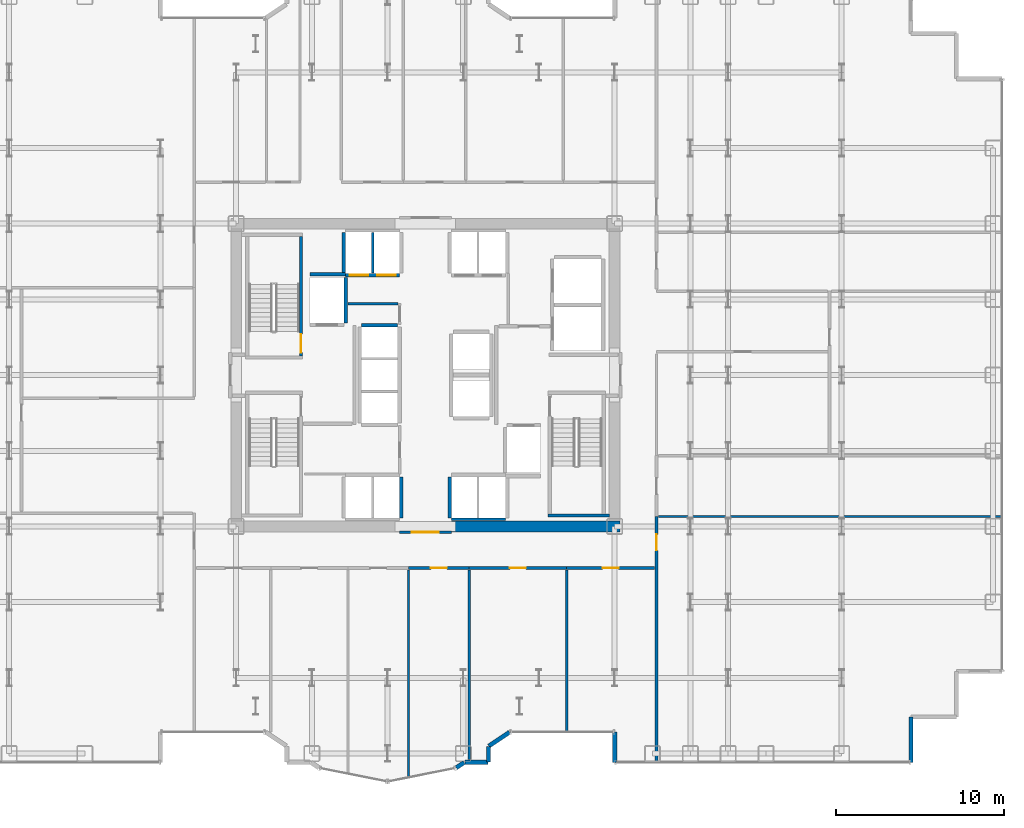
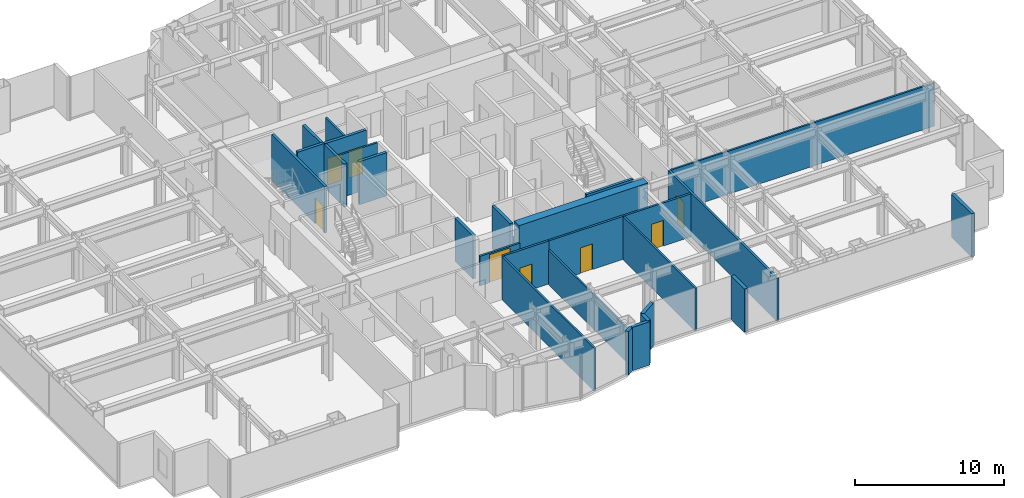
# One storey, part 21 of 26: 28 walls, 8 doors, 8 openings.
"""IFC4 building model written with IfcOpenShell, lengths in metres."""

import ifcopenshell
import ifcopenshell.guid

model = None  # the IFC model being written
_history = None  # IfcOwnerHistory: only IFC2X3 demands one
_inside = {}  # id of a spatial element -> (the spatial element, [elements in it])
_under = {}  # id of a project, library or spatial element -> (it, [spatial elements below it])
_declared = {}  # id of a project -> (the project, [libraries it declares])
_typed = {}  # id of a type object -> (the type object, [elements of that type])
_made_of = {}  # id of a material, layer set ... -> (it, [elements and type objects made of it])


def new_model(schema):
    """Start an empty IFC model of exactly this schema.

    Asked for "IFC4X3", IfcOpenShell would pick the latest addendum, in which some entities
    have other attributes; the version numbers below select the first issue.
    IFC2X3 requires an IfcOwnerHistory on every rooted entity: one is made here for all.
    """
    global model, _history
    if schema == "IFC4X3":
        model = ifcopenshell.file(schema_version=(4, 3, 0, 0))
    else:
        model = ifcopenshell.file(schema=schema)
    _inside.clear()
    _under.clear()
    _declared.clear()
    _typed.clear()
    _made_of.clear()
    _history = None
    if model.schema == "IFC2X3":
        org = make("IfcOrganization", Name="unknown")
        user = make(
            "IfcPersonAndOrganization",
            ThePerson=make("IfcPerson", FamilyName="unknown"),
            TheOrganization=org,
        )
        app = make(
            "IfcApplication",
            ApplicationDeveloper=org,
            Version="unknown",
            ApplicationFullName="unknown",
            ApplicationIdentifier="unknown",
        )
        _history = make(
            "IfcOwnerHistory",
            OwningUser=user,
            OwningApplication=app,
            ChangeAction="ADDED",
            CreationDate=0,
        )
    return model


def make(cls, **values):
    """One entity of the class cls with the attributes given. An attribute that is None is left unset."""
    return model.create_entity(
        cls, **{name: value for name, value in values.items() if value is not None}
    )


def rooted(cls, **values):
    """An entity with a GlobalId (a new one), such as an element, a storey or a relation."""
    return make(cls, GlobalId=ifcopenshell.guid.new(), OwnerHistory=_history, **values)


def si_unit(unit_type, name, prefix=None):
    """IfcSIUnit, for example si_unit("LENGTHUNIT", "METRE", prefix="MILLI")."""
    return make("IfcSIUnit", UnitType=unit_type, Prefix=prefix, Name=name)


def assignment(units):
    """IfcUnitAssignment: the units of a project."""
    return None if units is None else make("IfcUnitAssignment", Units=units)


def point(xyz):
    """IfcCartesianPoint."""
    return None if xyz is None else make("IfcCartesianPoint", Coordinates=xyz)


def direction(xyz):
    """IfcDirection."""
    return None if xyz is None else make("IfcDirection", DirectionRatios=xyz)


def frame(location, z_axis=None, x_axis=None):
    """IfcAxis2Placement3D, a coordinate frame: its origin and axes. An axis left out is left unset."""
    return make(
        "IfcAxis2Placement3D",
        Location=point(location),
        Axis=direction(z_axis),
        RefDirection=direction(x_axis),
    )


def frame_2d(location, x_axis=None):
    """IfcAxis2Placement2D, a coordinate frame in the plane: its origin and x axis."""
    return make(
        "IfcAxis2Placement2D", Location=point(location), RefDirection=direction(x_axis)
    )


def origin():
    """The frame at (0, 0, 0) with its axes left unset."""
    return frame((0.0, 0.0, 0.0))


def place(relative_to, where):
    """IfcLocalPlacement: puts the frame where relative to a parent placement (None: the world)."""
    return make(
        "IfcLocalPlacement", PlacementRelTo=relative_to, RelativePlacement=where
    )


def context(
    kind, dimensions, precision=None, world=None, true_north=None, identifier=None
):
    """IfcGeometricRepresentationContext, for example the 3D "Model" context."""
    return make(
        "IfcGeometricRepresentationContext",
        ContextIdentifier=identifier,
        ContextType=kind,
        CoordinateSpaceDimension=dimensions,
        Precision=precision,
        WorldCoordinateSystem=world,
        TrueNorth=true_north,
    )


def subcontext(parent, identifier, kind, view, scale=None):
    """IfcGeometricRepresentationSubContext, for example "Body" below "Model"."""
    return make(
        "IfcGeometricRepresentationSubContext",
        ContextIdentifier=identifier,
        ContextType=kind,
        ParentContext=parent,
        TargetScale=scale,
        TargetView=view,
    )


def project(units=None, contexts=None):
    """IfcProject with its units and contexts."""
    return rooted(
        "IfcProject",
        Name="project",
        RepresentationContexts=contexts,
        UnitsInContext=assignment(units),
    )


def spatial(cls, under=None, at=None, **own):
    """A site, building, storey or space (cls), placed at a placement, below another one or the project."""
    s = rooted(cls, ObjectPlacement=at, **own)
    if under is not None:
        _under.setdefault(under.id(), (under, []))[1].append(s)
    return s


def profile(cls, at=None, kind="AREA", **sizes):
    """A parametric profile (cls). Its sizes go by their IFC names, for example OverallWidth=200.0."""
    return make(cls, ProfileType=kind, Position=at, **sizes)


def rectangle(**sizes):
    """IfcRectangleProfileDef."""
    return profile("IfcRectangleProfileDef", **sizes)


def extrude(swept, where, along, depth):
    """IfcExtrudedAreaSolid: the profile swept, set in the frame where, extruded along a direction by depth."""
    return make(
        "IfcExtrudedAreaSolid",
        SweptArea=swept,
        Position=where,
        ExtrudedDirection=direction(along),
        Depth=depth,
    )


def shape(context_of_items, identifier, shape_type, items):
    """IfcShapeRepresentation: the items that make up one representation, for example the "Body"."""
    return make(
        "IfcShapeRepresentation",
        ContextOfItems=context_of_items,
        RepresentationIdentifier=identifier,
        RepresentationType=shape_type,
        Items=items,
    )


def source(mapping_origin, context_of_items, identifier, shape_type, items):
    """IfcRepresentationMap: a shape defined once, which mapped items show again and again."""
    return make(
        "IfcRepresentationMap",
        MappingOrigin=mapping_origin,
        MappedRepresentation=shape(context_of_items, identifier, shape_type, items),
    )


def transform(
    local_origin,
    x_axis=None,
    y_axis=None,
    z_axis=None,
    scale=None,
    scale2=None,
    scale3=None,
    uniform=True,
):
    """IfcCartesianTransformationOperator3D, or its non-uniform kind. x_axis, y_axis, z_axis: its Axis1, 2, 3."""
    if uniform:
        return make(
            "IfcCartesianTransformationOperator3D",
            Axis1=direction(x_axis),
            Axis2=direction(y_axis),
            LocalOrigin=point(local_origin),
            Scale=scale,
            Axis3=direction(z_axis),
        )
    return make(
        "IfcCartesianTransformationOperator3DnonUniform",
        Axis1=direction(x_axis),
        Axis2=direction(y_axis),
        LocalOrigin=point(local_origin),
        Scale=scale,
        Axis3=direction(z_axis),
        Scale2=scale2,
        Scale3=scale3,
    )


def mapped(mapping_source, mapping_target):
    """IfcMappedItem: shows the shape of a source again, moved by a transform."""
    return make(
        "IfcMappedItem", MappingSource=mapping_source, MappingTarget=mapping_target
    )


def material(Name=None, Category=None):
    """IfcMaterial."""
    return make("IfcMaterial", Name=Name, Category=Category)


def layer(
    of_material, thickness, ventilated=None, Name=None, Category=None, Priority=None
):
    """IfcMaterialLayer: one layer of a wall or slab, of a material (None: an air gap)."""
    return make(
        "IfcMaterialLayer",
        Material=of_material,
        LayerThickness=thickness,
        IsVentilated=ventilated,
        Name=Name,
        Category=Category,
        Priority=Priority,
    )


def layer_set(layers, Name=None):
    """IfcMaterialLayerSet."""
    return make("IfcMaterialLayerSet", MaterialLayers=layers, LayerSetName=Name)


def made_of(thing, what):
    """Note that an element or type object is made of a material, layer set ...; save() writes the relation."""
    if what is not None:
        _made_of.setdefault(what.id(), (what, []))[1].append(thing)
    return thing


def type_object(cls, material=None, **own):
    """A type object (cls), such as IfcWallType, which elements share."""
    return made_of(rooted(cls, **own), material)


def element(
    cls,
    number,
    at=None,
    inside=None,
    cuts=None,
    type_object=None,
    material=None,
    context=None,
    identifier="Body",
    shape_type=None,
    held_by="IfcProductDefinitionShape",
    body=None,
    shapes=None,
    **own,
):
    """One element of the class cls, such as IfcWall. Its Tag is "e" and its number.

    at: its placement. inside: the storey or other place that contains it. cuts: it is an
    opening in that element (IfcRelVoidsElement). A single representation is given by context,
    identifier, shape_type and body (its items); several are given by shapes. held_by: the class
    of the entity that holds the representations. save() writes the other relations.
    """
    e = rooted(cls, Tag="e%d" % number, ObjectPlacement=at, **own)
    if body is not None:
        shapes = [shape(context, identifier, shape_type, body)]
    if shapes is not None:
        e.Representation = make(held_by, Representations=shapes)
    if inside is not None:
        _inside.setdefault(inside.id(), (inside, []))[1].append(e)
    if cuts is not None:
        rooted(
            "IfcRelVoidsElement", RelatingBuildingElement=cuts, RelatedOpeningElement=e
        )
    if type_object is not None:
        _typed.setdefault(type_object.id(), (type_object, []))[1].append(e)
    return made_of(e, material)


def fill(opening, filler):
    """IfcRelFillsElement: the door or window that sits in an opening."""
    return rooted(
        "IfcRelFillsElement",
        RelatingOpeningElement=opening,
        RelatedBuildingElement=filler,
    )


def aggregate(whole, parts):
    """IfcRelAggregates: a whole, such as a stair, and the parts it consists of."""
    return rooted("IfcRelAggregates", RelatingObject=whole, RelatedObjects=parts)


def save(model, path):
    """Write the relations noted so far, then the file.

    IfcRelAggregates (storeys below a building ...), IfcRelContainedInSpatialStructure (elements
    in a storey), IfcRelDefinesByType, IfcRelAssociatesMaterial and IfcRelDeclares: one each for
    every whole, place, type object, material and project.
    """
    for whole, parts in _under.values():
        aggregate(whole, parts)
    for where, things in _inside.values():
        rooted(
            "IfcRelContainedInSpatialStructure",
            RelatedElements=things,
            RelatingStructure=where,
        )
    for kind, things in _typed.values():
        rooted("IfcRelDefinesByType", RelatedObjects=things, RelatingType=kind)
    for what, things in _made_of.values():
        rooted("IfcRelAssociatesMaterial", RelatedObjects=things, RelatingMaterial=what)
    for by, libraries in _declared.values():
        rooted("IfcRelDeclares", RelatingContext=by, RelatedDefinitions=libraries)
    model.write(path)


model = new_model("IFC4")

# Units and contexts
model_context = context("Model", 3, precision=1e-05, world=origin(), true_north=direction((0.0, 1.0)))
body_context = subcontext(model_context, "Body", "Model", "MODEL_VIEW")
ifc_project = project(units=[si_unit("LENGTHUNIT", "METRE"), si_unit("AREAUNIT", "SQUARE_METRE"), si_unit("VOLUMEUNIT", "CUBIC_METRE"), si_unit("PLANEANGLEUNIT", "RADIAN"), si_unit("MASSUNIT", "GRAM", prefix="KILO")], contexts=[model_context])

# Site, building, storey
site_placement = place(None, origin())
site = spatial("IfcSite", under=ifc_project, at=site_placement, CompositionType="ELEMENT")
building_placement = place(site_placement, origin())
building = spatial("IfcBuilding", under=site, at=building_placement, Name="Nefas-Gora Pilgrimage Tower", CompositionType="ELEMENT")
storey_placement = place(building_placement, frame((0.0, 0.0, 36.800048828125)))
storey = spatial("IfcBuildingStorey", under=building, at=storey_placement, Name="L07", CompositionType="ELEMENT", Elevation=36.800048828125)

# Walls
ifc_material_1 = material(Name="Concrete C60/75", Category="concrete")
ifc_layer_1 = layer(ifc_material_1, 0.64990234375)
ifc_layer_set_1 = layer_set([ifc_layer_1], Name="Concrete C60/75")
wall_type_1 = type_object("IfcWallType", Name="SW-CORE-650", PredefinedType="SHEAR", material=ifc_layer_set_1)
shared_shape_1 = source(origin(), body_context, "Body", "SweptSolid", [
    extrude(rectangle(XDim=10.02490234375, YDim=0.64990234375, at=frame_2d((5.012451171875, 0.0))), origin(), (0.0, 0.0, 1.0), 3.800048828125),
])
wall_1_placement = place(storey_placement, frame((1.550048828125, -9.0, 0.0), z_axis=(0.0, 0.0, 1.0), x_axis=(1.0, 0.0, 0.0)))
element("IfcWall", 1, at=wall_1_placement, inside=storey, type_object=wall_type_1, Name="L07 Core Shear Wall S-East", PredefinedType="SHEAR", context=body_context, shape_type="MappedRepresentation", body=[
    mapped(shared_shape_1, transform((0.0, 0.0, 0.0), x_axis=(1.0, 0.0, 0.0), y_axis=(0.0, 1.0, 0.0), z_axis=(0.0, 0.0, 1.0), scale=1.0)),
])
ifc_material_2 = material(Name="Precast concrete C40/50", Category="concrete")
ifc_layer_2 = layer(ifc_material_2, 0.260009765625)
ifc_layer_set_2 = layer_set([ifc_layer_2], Name="Precast concrete C40/50")
wall_type_2 = type_object("IfcWallType", Name="EW-PORTAL-260", PredefinedType="SOLIDWALL", material=ifc_layer_set_2)
shared_shape_2 = source(origin(), body_context, "Body", "SweptSolid", [
    extrude(rectangle(XDim=1.800048828125, YDim=0.260009765625, at=frame_2d((0.89990234375, 0.0))), origin(), (0.0, 0.0, 1.0), 3.550048828125),
])
wall_2_placement = place(storey_placement, frame((11.25, -21.219970703125, 0.0), z_axis=(0.0, 0.0, 1.0), x_axis=(0.0, -1.0, 0.0)))
element("IfcWall", 2, at=wall_2_placement, inside=storey, type_object=wall_type_2, Name="L07 Lobe Shoulder Precast Spandrel Pier 1", PredefinedType="SOLIDWALL", context=body_context, shape_type="MappedRepresentation", body=[
    mapped(shared_shape_2, transform((0.0, 0.0, 0.0), x_axis=(1.0, 0.0, 0.0), y_axis=(0.0, 1.0, 0.0), z_axis=(0.0, 0.0, 1.0), scale=1.0)),
])
ifc_material_3 = material(Name="Precast concrete C45/55", Category="concrete")
ifc_layer_3 = layer(ifc_material_3, 0.239990234375)
ifc_layer_set_3 = layer_set([ifc_layer_3], Name="Precast concrete C45/55")
wall_type_3 = type_object("IfcWallType", Name="EW-SERR-240", PredefinedType="SHEAR", material=ifc_layer_set_3)
shared_shape_3 = source(origin(), body_context, "Body", "SweptSolid", [
    extrude(rectangle(XDim=2.699951171875, YDim=0.239990234375, at=frame_2d((1.35009765625, 0.0))), origin(), (0.0, 0.0, 1.0), 3.550048828125),
])
wall_3_placement = place(storey_placement, frame((28.8701171875, -23.02001953125, 0.0), z_axis=(0.0, 0.0, 1.0), x_axis=(0.0, 1.0, 0.0)))
element("IfcWall", 3, at=wall_3_placement, inside=storey, type_object=wall_type_3, Name="L07 Serrated Corner Shear Pier Wall 2", PredefinedType="SHEAR", context=body_context, shape_type="MappedRepresentation", body=[
    mapped(shared_shape_3, transform((0.0, 0.0, 0.0), x_axis=(1.0, 0.0, 0.0), y_axis=(0.0, 1.0, 0.0), z_axis=(0.0, 0.0, 1.0), scale=1.0)),
])
shared_shape_4 = source(origin(), body_context, "Body", "SweptSolid", [
    extrude(rectangle(XDim=1.468994140625, YDim=0.260009765625, at=frame_2d((0.734375, 0.0))), origin(), (0.0, 0.0, 1.0), 3.550048828125),
])
wall_4_placement = place(storey_placement, frame((3.773193359375, -22.0517578125, 0.0), z_axis=(0.0, 0.0, 1.0), x_axis=(0.831461760506, 0.555581983884, 0.0)))
element("IfcWall", 4, at=wall_4_placement, inside=storey, type_object=wall_type_2, Name="L07 Lobe Shoulder Precast Spandrel Pier 36", PredefinedType="SOLIDWALL", context=body_context, shape_type="MappedRepresentation", body=[
    mapped(shared_shape_4, transform((0.0, 0.0, 0.0), x_axis=(1.0, 0.0, 0.0), y_axis=(0.0, 1.0, 0.0), z_axis=(0.0, 0.0, 1.0), scale=1.0)),
])
shared_shape_5 = source(origin(), body_context, "Body", "SweptSolid", [
    extrude(rectangle(XDim=0.896728515625, YDim=0.260009765625, at=frame_2d((0.4482421875, 0.0))), origin(), (0.0, 0.0, 1.0), 3.550048828125),
])
wall_5_placement = place(storey_placement, frame((3.75, -22.991943359375, 0.0), z_axis=(0.0, 0.0, 1.0), x_axis=(0.0, 1.0, 0.0)))
element("IfcWall", 5, at=wall_5_placement, inside=storey, type_object=wall_type_2, Name="L07 Lobe Shoulder Precast Spandrel Pier 35", PredefinedType="SOLIDWALL", context=body_context, shape_type="MappedRepresentation", body=[
    mapped(shared_shape_5, transform((0.0, 0.0, 0.0), x_axis=(1.0, 0.0, 0.0), y_axis=(0.0, 1.0, 0.0), z_axis=(0.0, 0.0, 1.0), scale=1.0)),
])
shared_shape_6 = source(origin(), body_context, "Body", "SweptSolid", [
    extrude(rectangle(XDim=1.369873046875, YDim=0.260009765625, at=frame_2d((0.68505859375, 0.0))), origin(), (0.0, 0.0, 1.0), 3.550048828125),
])
wall_6_placement = place(storey_placement, frame((2.35205078125, -23.02001953125, 0.0), z_axis=(0.0, 0.0, 1.0), x_axis=(1.0, 0.0, 0.0)))
element("IfcWall", 6, at=wall_6_placement, inside=storey, type_object=wall_type_2, Name="L07 Lobe Shoulder Precast Spandrel Pier 34", PredefinedType="SOLIDWALL", context=body_context, shape_type="MappedRepresentation", body=[
    mapped(shared_shape_6, transform((0.0, 0.0, 0.0), x_axis=(1.0, 0.0, 0.0), y_axis=(0.0, 1.0, 0.0), z_axis=(0.0, 0.0, 1.0), scale=1.0)),
])
shared_shape_7 = source(origin(), body_context, "Body", "SweptSolid", [
    extrude(rectangle(XDim=0.5654296875, YDim=0.260009765625, at=frame_2d((0.28271484375, 0.0))), origin(), (0.0, 0.0, 1.0), 3.550048828125),
])
wall_7_placement = place(storey_placement, frame((1.83056640625, -23.349609375, 0.0), z_axis=(0.0, 0.0, 1.0), x_axis=(0.831651492666, 0.555297933317, 0.0)))
element("IfcWall", 7, at=wall_7_placement, inside=storey, type_object=wall_type_2, Name="L07 Lobe Shoulder Precast Spandrel Pier 33", PredefinedType="SOLIDWALL", context=body_context, shape_type="MappedRepresentation", body=[
    mapped(shared_shape_7, transform((0.0, 0.0, 0.0), x_axis=(1.0, 0.0, 0.0), y_axis=(0.0, 1.0, 0.0), z_axis=(0.0, 0.0, 1.0), scale=1.0)),
])
ifc_material_4 = material(Name="Concrete C45/55", Category="concrete")
ifc_layer_4 = layer(ifc_material_4, 0.199951171875)
ifc_layer_set_4 = layer_set([ifc_layer_4], Name="Concrete C45/55")
wall_type_4 = type_object("IfcWallType", Name="IW-STAIR-200", PredefinedType="SOLIDWALL", material=ifc_layer_set_4)
shared_shape_8 = source(origin(), body_context, "Body", "SweptSolid", [
    extrude(rectangle(XDim=3.6298828125, YDim=0.199951171875, at=frame_2d((1.81494140625, 0.0))), origin(), (0.0, 0.0, 1.0), 3.800048828125),
])
wall_8_placement = place(storey_placement, frame((7.300048828125, -8.35009765625, 0.0), z_axis=(0.0, 0.0, 1.0), x_axis=(1.0, 0.0, 0.0)))
element("IfcWall", 8, at=wall_8_placement, inside=storey, type_object=wall_type_4, Name="L07 Stairwell Shear Wall ST-02-far", PredefinedType="SOLIDWALL", context=body_context, shape_type="MappedRepresentation", body=[
    mapped(shared_shape_8, transform((0.0, 0.0, 0.0), x_axis=(1.0, 0.0, 0.0), y_axis=(0.0, 1.0, 0.0), z_axis=(0.0, 0.0, 1.0), scale=1.0)),
])

# Wall, opening, door
shared_shape_9 = source(origin(), body_context, "Body", "SweptSolid", [
    extrude(rectangle(XDim=7.10009765625, YDim=0.199951171875, at=frame_2d((3.550048828125, 0.0))), origin(), (0.0, 0.0, 1.0), 3.800048828125),
])
wall_9_placement = place(storey_placement, frame((-7.39990234375, 1.14990234375, 0.0), z_axis=(0.0, 0.0, 1.0), x_axis=(0.0, 1.0, 0.0)))
wall_9 = element("IfcWall", 9, at=wall_9_placement, inside=storey, type_object=wall_type_4, Name="L07 Stairwell Shear Wall ST-01-left", PredefinedType="SOLIDWALL", context=body_context, shape_type="MappedRepresentation", body=[
    mapped(shared_shape_9, transform((0.0, 0.0, 0.0), x_axis=(1.0, 0.0, 0.0), y_axis=(0.0, 1.0, 0.0), z_axis=(0.0, 0.0, 1.0), scale=1.0)),
])
opening_1_placement = place(wall_9_placement, frame((0.179931640625, 0.0, 0.0)))
opening_1 = element("IfcOpeningElement", 10, at=opening_1_placement, cuts=wall_9, Name="Opening ID-ST1", PredefinedType="OPENING", context=body_context, shape_type="SweptSolid", body=[
    extrude(rectangle(XDim=1.10009765625, YDim=2.14990234375, at=frame_2d((0.550048828125, 1.074951171875))), frame((0.0, 0.10986328125, 0.0), z_axis=(0.0, -1.0, 0.0), x_axis=(1.0, 0.0, 0.0)), (0.0, 0.0, 1.0), 0.219970703125),
])
ifc_material_5 = material(Name="Painted galvanised steel fire stair door", Category="steel")
door_type_1 = type_object("IfcDoorType", Name="DR-INT-STAIR-1100", OperationType="NOTDEFINED", PredefinedType="DOOR", material=ifc_material_5)
shared_shape_10 = source(origin(), body_context, "Body", "SweptSolid", [
    extrude(rectangle(XDim=1.10009765625, YDim=2.14990234375, at=frame_2d((0.550048828125, 1.074951171875))), frame((0.0, 0.02490234375, 0.0), z_axis=(0.0, -1.0, 0.0), x_axis=(1.0, 0.0, 0.0)), (0.0, 0.0, 1.0), 0.050048828125),
])
door_1_placement = place(opening_1_placement, origin())
door_1 = element("IfcDoor", 11, at=door_1_placement, inside=storey, type_object=door_type_1, Name="L07 Protected Exit Stair Door ST-01", OperationType="SINGLE_SWING_LEFT", OverallHeight=2.14990234375, OverallWidth=1.10009765625, PredefinedType="DOOR", context=body_context, shape_type="MappedRepresentation", body=[
    mapped(shared_shape_10, transform((0.0, 0.0, 0.0), x_axis=(1.0, 0.0, 0.0), y_axis=(0.0, 1.0, 0.0), z_axis=(0.0, 0.0, 1.0), scale=1.0)),
])
fill(opening_1, door_1)

# Wall
ifc_material_6 = material(Name="Concrete C40/50", Category="concrete")
ifc_layer_5 = layer(ifc_material_6, 0.219970703125)
ifc_layer_set_5 = layer_set([ifc_layer_5], Name="Concrete C40/50")
wall_type_5 = type_object("IfcWallType", Name="IW-SHAFT-220", PredefinedType="SOLIDWALL", material=ifc_layer_set_5)
shared_shape_11 = source(origin(), body_context, "Body", "SweptSolid", [
    extrude(rectangle(XDim=2.679931640625, YDim=0.219970703125, at=frame_2d((1.33984375, 0.0))), origin(), (0.0, 0.0, 1.0), 3.534912109375),
])
wall_10_placement = place(storey_placement, frame((-4.739990234375, 3.110107421875, 0.0), z_axis=(0.0, 0.0, 1.0), x_axis=(0.0, 1.0, 0.0)))
element("IfcWall", 12, at=wall_10_placement, inside=storey, type_object=wall_type_5, Name="L07 Hoistway Wall FFL-01-E", PredefinedType="SOLIDWALL", context=body_context, shape_type="MappedRepresentation", body=[
    mapped(shared_shape_11, transform((0.0, 0.0, 0.0), x_axis=(1.0, 0.0, 0.0), y_axis=(0.0, 1.0, 0.0), z_axis=(0.0, 0.0, 1.0), scale=1.0)),
])

# Wall, openings, doors
shared_shape_12 = source(origin(), body_context, "Body", "SweptSolid", [
    extrude(rectangle(XDim=3.199951171875, YDim=0.219970703125, at=frame_2d((1.60009765625, 0.0))), origin(), (0.0, 0.0, 1.0), 3.534912109375),
])
wall_11_placement = place(storey_placement, frame((-4.75, 5.93994140625, 0.0), z_axis=(0.0, 0.0, 1.0), x_axis=(1.0, 0.0, 0.0)))
wall_11 = element("IfcWall", 13, at=wall_11_placement, inside=storey, type_object=wall_type_5, Name="L07 Hoistway Wall PL1-W-S", PredefinedType="SOLIDWALL", context=body_context, shape_type="MappedRepresentation", body=[
    mapped(shared_shape_12, transform((0.0, 0.0, 0.0), x_axis=(1.0, 0.0, 0.0), y_axis=(0.0, 1.0, 0.0), z_axis=(0.0, 0.0, 1.0), scale=1.0)),
])
opening_2_placement = place(wall_11_placement, frame((0.25, 0.0, 0.0)))
opening_2 = element("IfcOpeningElement", 14, at=opening_2_placement, cuts=wall_11, Name="Opening LD-01", PredefinedType="OPENING", context=body_context, shape_type="SweptSolid", body=[
    extrude(rectangle(XDim=1.10009765625, YDim=2.199951171875, at=frame_2d((0.550048828125, 1.10009765625))), frame((0.0, 0.119873046875, 0.0), z_axis=(0.0, -1.0, 0.0), x_axis=(1.0, 0.0, 0.0)), (0.0, 0.0, 1.0), 0.239990234375),
])
opening_3_placement = place(wall_11_placement, frame((1.875, 0.0, 0.0)))
opening_3 = element("IfcOpeningElement", 15, at=opening_3_placement, cuts=wall_11, Name="Opening LD-01", PredefinedType="OPENING", context=body_context, shape_type="SweptSolid", body=[
    extrude(rectangle(XDim=1.10009765625, YDim=2.199951171875, at=frame_2d((0.550048828125, 1.10009765625))), frame((0.0, 0.119873046875, 0.0), z_axis=(0.0, -1.0, 0.0), x_axis=(1.0, 0.0, 0.0)), (0.0, 0.0, 1.0), 0.239990234375),
])
ifc_material_7 = material(Name="Brushed stainless sliding lift landing door")
door_type_2 = type_object("IfcDoorType", Name="DR-LIFT-PASS-1100", OperationType="DOUBLE_DOOR_SLIDING", PredefinedType="DOOR", material=ifc_material_7)
shared_shape_13 = source(origin(), body_context, "Body", "SweptSolid", [
    extrude(rectangle(XDim=1.10009765625, YDim=2.199951171875, at=frame_2d((0.550048828125, 1.10009765625))), frame((0.0, 0.02490234375, 0.0), z_axis=(0.0, -1.0, 0.0), x_axis=(1.0, 0.0, 0.0)), (0.0, 0.0, 1.0), 0.050048828125),
])
door_2_placement = place(opening_2_placement, origin())
door_2 = element("IfcDoor", 16, at=door_2_placement, inside=storey, type_object=door_type_2, Name="L07 Sliding Lift Landing Door PL1-01", OperationType="DOUBLE_DOOR_SLIDING", OverallHeight=2.199951171875, OverallWidth=1.10009765625, PredefinedType="DOOR", context=body_context, shape_type="MappedRepresentation", body=[
    mapped(shared_shape_13, transform((0.0, 0.0, 0.0), x_axis=(1.0, 0.0, 0.0), y_axis=(0.0, 1.0, 0.0), z_axis=(0.0, 0.0, 1.0), scale=1.0)),
])
fill(opening_2, door_2)
door_3_placement = place(opening_3_placement, origin())
door_3 = element("IfcDoor", 17, at=door_3_placement, inside=storey, type_object=door_type_2, Name="L07 Sliding Lift Landing Door PL1-02", OperationType="DOUBLE_DOOR_SLIDING", OverallHeight=2.199951171875, OverallWidth=1.10009765625, PredefinedType="DOOR", context=body_context, shape_type="MappedRepresentation", body=[
    mapped(shared_shape_13, transform((0.0, 0.0, 0.0), x_axis=(1.0, 0.0, 0.0), y_axis=(0.0, 1.0, 0.0), z_axis=(0.0, 0.0, 1.0), scale=1.0)),
])
fill(opening_3, door_3)

# Walls
ifc_material_8 = material(Name="Gypsum acoustic stud partition")
ifc_layer_6 = layer(ifc_material_8, 0.159912109375)
ifc_layer_set_6 = layer_set([ifc_layer_6], Name="Gypsum acoustic stud partition")
wall_type_6 = type_object("IfcWallType", Name="IW-CORR-160", PredefinedType="PARTITIONING", material=ifc_layer_set_6)
shared_shape_14 = source(origin(), body_context, "Body", "SweptSolid", [
    extrude(rectangle(XDim=3.199951171875, YDim=0.159912109375, at=frame_2d((1.60009765625, 0.0))), origin(), (0.0, 0.0, 1.0), 2.425048828125),
])
wall_12_placement = place(storey_placement, frame((1.550048828125, -8.580078125, 0.0), z_axis=(0.0, 0.0, 1.0), x_axis=(1.0, 0.0, 0.0)))
element("IfcWall", 18, at=wall_12_placement, inside=storey, type_object=wall_type_6, Name="L07 Hoistway Wall PL2-E-S", PredefinedType="PARTITIONING", context=body_context, shape_type="MappedRepresentation", body=[
    mapped(shared_shape_14, transform((0.0, 0.0, 0.0), x_axis=(1.0, 0.0, 0.0), y_axis=(0.0, 1.0, 0.0), z_axis=(0.0, 0.0, 1.0), scale=1.0)),
])
shared_shape_15 = source(origin(), body_context, "Body", "SweptSolid", [
    extrude(rectangle(XDim=2.429931640625, YDim=0.219970703125, at=frame_2d((1.21484375, 0.0))), origin(), (0.0, 0.0, 1.0), 3.534912109375),
])
for number, where, z_axis, x_axis, name in (
    (19, (-4.860107421875, 8.489990234375, 0.0), (0.0, 0.0, 1.0), (0.0, -1.0, 0.0), "L07 Hoistway Wall PL1-W-W"),
    (20, (-1.43994140625, -8.489990234375, 0.0), (0.0, 0.0, 1.0), (0.0, 1.0, 0.0), "L07 Hoistway Wall PL2-W-E"),
    (21, (1.43994140625, -6.06005859375, 0.0), (0.0, 0.0, 1.0), (0.0, -1.0, 0.0), "L07 Hoistway Wall PL2-E-W"),
):
    element("IfcWall", number, at=place(storey_placement, frame(where, z_axis=z_axis, x_axis=x_axis)), inside=storey, type_object=wall_type_5, Name=name, PredefinedType="SOLIDWALL", context=body_context, shape_type="MappedRepresentation", body=[
        mapped(shared_shape_15, transform((0.0, 0.0, 0.0), x_axis=(1.0, 0.0, 0.0), y_axis=(0.0, 1.0, 0.0), z_axis=(0.0, 0.0, 1.0), scale=1.0)),
    ])
ifc_material_9 = material(Name="Gypsum twin-stud partition")
ifc_layer_7 = layer(ifc_material_9, 0.139892578125)
ifc_layer_set_7 = layer_set([ifc_layer_7], Name="Gypsum twin-stud partition")
wall_type_7 = type_object("IfcWallType", Name="IW-UNIT-140", PredefinedType="PARTITIONING", material=ifc_layer_set_7)
shared_shape_16 = source(origin(), body_context, "Body", "SweptSolid", [
    extrude(rectangle(XDim=2.429931640625, YDim=0.139892578125, at=frame_2d((1.21484375, 0.0))), origin(), (0.0, 0.0, 1.0), 3.534912109375),
])
wall_13_placement = place(storey_placement, frame((-3.125, 6.06005859375, 0.0), z_axis=(0.0, 0.0, 1.0), x_axis=(0.0, 1.0, 0.0)))
element("IfcWall", 22, at=wall_13_placement, inside=storey, type_object=wall_type_7, Name="L07 Hoistway Wall PL1-W-DIV", PredefinedType="PARTITIONING", context=body_context, shape_type="MappedRepresentation", body=[
    mapped(shared_shape_16, transform((0.0, 0.0, 0.0), x_axis=(1.0, 0.0, 0.0), y_axis=(0.0, 1.0, 0.0), z_axis=(0.0, 0.0, 1.0), scale=1.0)),
])
shared_shape_17 = source(origin(), body_context, "Body", "SweptSolid", [
    extrude(rectangle(XDim=2.130126953125, YDim=0.219970703125, at=frame_2d((1.06494140625, 0.0))), origin(), (0.0, 0.0, 1.0), 3.534912109375),
])
wall_14_placement = place(storey_placement, frame((-1.659912109375, 2.9599609375, 0.0), z_axis=(0.0, 0.0, 1.0), x_axis=(-1.0, 0.0, 0.0)))
element("IfcWall", 23, at=wall_14_placement, inside=storey, type_object=wall_type_5, Name="L07 Hoistway Wall PL3-03-N", PredefinedType="SOLIDWALL", context=body_context, shape_type="MappedRepresentation", body=[
    mapped(shared_shape_17, transform((0.0, 0.0, 0.0), x_axis=(1.0, 0.0, 0.0), y_axis=(0.0, 1.0, 0.0), z_axis=(0.0, 0.0, 1.0), scale=1.0)),
])
shared_shape_18 = source(origin(), body_context, "Body", "SweptSolid", [
    extrude(rectangle(XDim=2.09521484375, YDim=0.219970703125, at=frame_2d((1.047607421875, 0.0))), origin(), (0.0, 0.0, 1.0), 3.534912109375),
])
wall_15_placement = place(storey_placement, frame((-6.85009765625, 6.0, 0.0), z_axis=(0.0, 0.0, 1.0), x_axis=(1.0, 0.0, 0.0)))
element("IfcWall", 24, at=wall_15_placement, inside=storey, type_object=wall_type_5, Name="L07 Riser Shaft Wall 1", PredefinedType="SOLIDWALL", context=body_context, shape_type="MappedRepresentation", body=[
    mapped(shared_shape_18, transform((0.0, 0.0, 0.0), x_axis=(1.0, 0.0, 0.0), y_axis=(0.0, 1.0, 0.0), z_axis=(0.0, 0.0, 1.0), scale=1.0)),
])

# Wall, opening, door
shared_shape_19 = source(origin(), body_context, "Body", "SweptSolid", [
    extrude(rectangle(XDim=3.08984375, YDim=0.159912109375, at=frame_2d((1.544921875, 0.0))), origin(), (0.0, 0.0, 1.0), 2.425048828125),
])
wall_16_placement = place(storey_placement, frame((-1.544921875, -9.35009765625, 0.0), z_axis=(0.0, 0.0, 1.0), x_axis=(1.0, 0.0, 0.0)))
wall_16 = element("IfcWall", 25, at=wall_16_placement, inside=storey, type_object=wall_type_6, Name="L07 Central Lift Lobby South Portal Wall 14", PredefinedType="PARTITIONING", context=body_context, shape_type="MappedRepresentation", body=[
    mapped(shared_shape_19, transform((0.0, 0.0, 0.0), x_axis=(1.0, 0.0, 0.0), y_axis=(0.0, 1.0, 0.0), z_axis=(0.0, 0.0, 1.0), scale=1.0)),
])
opening_4_placement = place(wall_16_placement, frame((0.7451171875, 0.0, 0.0)))
opening_4 = element("IfcOpeningElement", 26, at=opening_4_placement, cuts=wall_16, Name="Opening ID-HL1", PredefinedType="OPENING", context=body_context, shape_type="SweptSolid", body=[
    extrude(rectangle(XDim=1.60009765625, YDim=2.300048828125, at=frame_2d((0.800048828125, 1.14990234375))), frame((0.0, 0.08984375, 0.0), z_axis=(0.0, -1.0, 0.0), x_axis=(1.0, 0.0, 0.0)), (0.0, 0.0, 1.0), 0.179931640625),
])
ifc_material_10 = material(Name="Double acoustic timber assembly hall door", Category="wood")
door_type_3 = type_object("IfcDoorType", Name="DR-INT-HALL-1600", OperationType="DOUBLE_DOOR_SINGLE_SWING", PredefinedType="DOOR", material=ifc_material_10)
shared_shape_20 = source(origin(), body_context, "Body", "SweptSolid", [
    extrude(rectangle(XDim=1.60009765625, YDim=2.300048828125, at=frame_2d((0.800048828125, 1.14990234375))), frame((0.0, 0.02490234375, 0.0), z_axis=(0.0, -1.0, 0.0), x_axis=(1.0, 0.0, 0.0)), (0.0, 0.0, 1.0), 0.050048828125),
])
door_4_placement = place(opening_4_placement, origin())
door_4 = element("IfcDoor", 27, at=door_4_placement, inside=storey, type_object=door_type_3, Name="L07 Central Lift Lobby South Portal Door 5", OperationType="DOUBLE_DOOR_SINGLE_SWING", OverallHeight=2.300048828125, OverallWidth=1.60009765625, PredefinedType="DOOR", context=body_context, shape_type="MappedRepresentation", body=[
    mapped(shared_shape_20, transform((0.0, 0.0, 0.0), x_axis=(1.0, 0.0, 0.0), y_axis=(0.0, 1.0, 0.0), z_axis=(0.0, 0.0, 1.0), scale=1.0)),
])
fill(opening_4, door_4)

# Wall
shared_shape_21 = source(origin(), body_context, "Body", "SweptSolid", [
    extrude(rectangle(XDim=2.9501953125, YDim=0.139892578125, at=frame_2d((1.47509765625, 0.0))), origin(), (0.0, 0.0, 1.0), 3.534912109375),
])
wall_17_placement = place(storey_placement, frame((-4.590087890625, 4.25, 0.0), z_axis=(0.0, 0.0, 1.0), x_axis=(1.0, 0.0, 0.0)))
element("IfcWall", 28, at=wall_17_placement, inside=storey, type_object=wall_type_7, Name="L07 Housekeeping and Linen Store Partition Wall 17", PredefinedType="PARTITIONING", context=body_context, shape_type="MappedRepresentation", body=[
    mapped(shared_shape_21, transform((0.0, 0.0, 0.0), x_axis=(1.0, 0.0, 0.0), y_axis=(0.0, 1.0, 0.0), z_axis=(0.0, 0.0, 1.0), scale=1.0)),
])

# Wall, opening, door
shared_shape_22 = source(origin(), body_context, "Body", "SweptSolid", [
    extrude(rectangle(XDim=14.64501953125, YDim=0.159912109375, at=frame_2d((7.322509765625, 0.0))), origin(), (0.0, 0.0, 1.0), 3.534912109375),
])
wall_18_placement = place(storey_placement, frame((13.739990234375, -23.0400390625, 0.0), z_axis=(0.0, 0.0, 1.0), x_axis=(0.0, 1.0, 0.0)))
wall_18 = element("IfcWall", 29, at=wall_18_placement, inside=storey, type_object=wall_type_6, Name="L07 Pilgrim Contemplative Lounge Partition Wall 30", PredefinedType="PARTITIONING", context=body_context, shape_type="MappedRepresentation", body=[
    mapped(shared_shape_22, transform((0.0, 0.0, 0.0), x_axis=(1.0, 0.0, 0.0), y_axis=(0.0, 1.0, 0.0), z_axis=(0.0, 0.0, 1.0), scale=1.0)),
])
opening_5_placement = place(wall_18_placement, frame((12.612548828125, 0.0, 0.0)))
opening_5 = element("IfcOpeningElement", 30, at=opening_5_placement, cuts=wall_18, Name="Opening ID-GR1", PredefinedType="OPENING", context=body_context, shape_type="SweptSolid", body=[
    extrude(rectangle(XDim=0.949951171875, YDim=2.10009765625, at=frame_2d((0.47509765625, 1.050048828125))), frame((0.0, 0.08984375, 0.0), z_axis=(0.0, -1.0, 0.0), x_axis=(1.0, 0.0, 0.0)), (0.0, 0.0, 1.0), 0.179931640625),
])
ifc_material_11 = material(Name="Solid core oak fire-rated guest entrance door")
door_type_4 = type_object("IfcDoorType", Name="DR-INT-GUEST-950", OperationType="NOTDEFINED", PredefinedType="DOOR", material=ifc_material_11)
shared_shape_23 = source(origin(), body_context, "Body", "SweptSolid", [
    extrude(rectangle(XDim=0.949951171875, YDim=2.10009765625, at=frame_2d((0.47509765625, 1.050048828125))), frame((0.0, 0.02490234375, 0.0), z_axis=(0.0, -1.0, 0.0), x_axis=(1.0, 0.0, 0.0)), (0.0, 0.0, 1.0), 0.050048828125),
])
door_5_placement = place(opening_5_placement, origin())
door_5 = element("IfcDoor", 31, at=door_5_placement, inside=storey, type_object=door_type_4, Name="L07 Pilgrim Contemplative Lounge Door 13", OperationType="SINGLE_SWING_RIGHT", OverallHeight=2.10009765625, OverallWidth=0.949951171875, PredefinedType="DOOR", context=body_context, shape_type="MappedRepresentation", body=[
    mapped(shared_shape_23, transform((0.0, 0.0, 0.0), x_axis=(1.0, 0.0, 0.0), y_axis=(0.0, 1.0, 0.0), z_axis=(0.0, 0.0, 1.0), scale=1.0)),
])
fill(opening_5, door_5)

# Wall
shared_shape_24 = source(origin(), body_context, "Body", "SweptSolid", [
    extrude(rectangle(XDim=11.260009765625, YDim=0.139892578125, at=frame_2d((5.6298828125, 0.0))), origin(), (0.0, 0.0, 1.0), 2.824951171875),
])
wall_19_placement = place(storey_placement, frame((2.594970703125, -22.85009765625, 0.0), z_axis=(0.0, 0.0, 1.0), x_axis=(0.0, 1.0, 0.0)))
element("IfcWall", 32, at=wall_19_placement, inside=storey, type_object=wall_type_7, Name="L07 Pilgrim Contemplative Lounge Partition Wall 58", PredefinedType="PARTITIONING", context=body_context, shape_type="MappedRepresentation", body=[
    mapped(shared_shape_24, transform((0.0, 0.0, 0.0), x_axis=(1.0, 0.0, 0.0), y_axis=(0.0, 1.0, 0.0), z_axis=(0.0, 0.0, 1.0), scale=1.0)),
])

# Wall, opening, door
shared_shape_25 = source(origin(), body_context, "Body", "SweptSolid", [
    extrude(rectangle(XDim=5.81005859375, YDim=0.159912109375, at=frame_2d((2.905029296875, 0.0))), origin(), (0.0, 0.0, 1.0), 3.534912109375),
])
wall_20_placement = place(storey_placement, frame((2.594970703125, -11.469970703125, 0.0), z_axis=(0.0, 0.0, 1.0), x_axis=(1.0, 0.0, 0.0)))
wall_20 = element("IfcWall", 33, at=wall_20_placement, inside=storey, type_object=wall_type_6, Name="L07 Pilgrim Contemplative Lounge Partition Wall 59", PredefinedType="PARTITIONING", context=body_context, shape_type="MappedRepresentation", body=[
    mapped(shared_shape_25, transform((0.0, 0.0, 0.0), x_axis=(1.0, 0.0, 0.0), y_axis=(0.0, 1.0, 0.0), z_axis=(0.0, 0.0, 1.0), scale=1.0)),
])
opening_6_placement = place(wall_20_placement, frame((2.429931640625, 0.0, 0.0)))
opening_6 = element("IfcOpeningElement", 34, at=opening_6_placement, cuts=wall_20, Name="Opening ID-GR1", PredefinedType="OPENING", context=body_context, shape_type="SweptSolid", body=[
    extrude(rectangle(XDim=0.949951171875, YDim=2.10009765625, at=frame_2d((0.47509765625, 1.050048828125))), frame((0.0, 0.08984375, 0.0), z_axis=(0.0, -1.0, 0.0), x_axis=(1.0, 0.0, 0.0)), (0.0, 0.0, 1.0), 0.179931640625),
])
door_6_placement = place(opening_6_placement, origin())
door_6 = element("IfcDoor", 35, at=door_6_placement, inside=storey, type_object=door_type_4, Name="L07 Pilgrim Contemplative Lounge Door 28", OperationType="SINGLE_SWING_LEFT", OverallHeight=2.10009765625, OverallWidth=0.949951171875, PredefinedType="DOOR", context=body_context, shape_type="MappedRepresentation", body=[
    mapped(shared_shape_23, transform((0.0, 0.0, 0.0), x_axis=(1.0, 0.0, 0.0), y_axis=(0.0, 1.0, 0.0), z_axis=(0.0, 0.0, 1.0), scale=1.0)),
])
fill(opening_6, door_6)

# Wall
shared_shape_26 = source(origin(), body_context, "Body", "SweptSolid", [
    extrude(rectangle(XDim=9.64990234375, YDim=0.139892578125, at=frame_2d((4.824951171875, 0.0))), origin(), (0.0, 0.0, 1.0), 3.534912109375),
])
wall_21_placement = place(storey_placement, frame((8.39501953125, -21.239990234375, 0.0), z_axis=(0.0, 0.0, 1.0), x_axis=(0.0, 1.0, 0.0)))
element("IfcWall", 36, at=wall_21_placement, inside=storey, type_object=wall_type_7, Name="L07 Pilgrim Contemplative Lounge Partition Wall 60", PredefinedType="PARTITIONING", context=body_context, shape_type="MappedRepresentation", body=[
    mapped(shared_shape_26, transform((0.0, 0.0, 0.0), x_axis=(1.0, 0.0, 0.0), y_axis=(0.0, 1.0, 0.0), z_axis=(0.0, 0.0, 1.0), scale=1.0)),
])

# Wall, opening, door
shared_shape_27 = source(origin(), body_context, "Body", "SweptSolid", [
    extrude(rectangle(XDim=3.60498046875, YDim=0.159912109375, at=frame_2d((1.802490234375, 0.0))), origin(), (0.0, 0.0, 1.0), 3.534912109375),
])
wall_22_placement = place(storey_placement, frame((-1.0, -11.469970703125, 0.0), z_axis=(0.0, 0.0, 1.0), x_axis=(1.0, 0.0, 0.0)))
wall_22 = element("IfcWall", 37, at=wall_22_placement, inside=storey, type_object=wall_type_6, Name="L07 Pilgrim Contemplative Lounge Partition Wall 57", PredefinedType="PARTITIONING", context=body_context, shape_type="MappedRepresentation", body=[
    mapped(shared_shape_27, transform((0.0, 0.0, 0.0), x_axis=(1.0, 0.0, 0.0), y_axis=(0.0, 1.0, 0.0), z_axis=(0.0, 0.0, 1.0), scale=1.0)),
])
opening_7_placement = place(wall_22_placement, frame((1.327392578125, 0.0, 0.0)))
opening_7 = element("IfcOpeningElement", 38, at=opening_7_placement, cuts=wall_22, Name="Opening ID-GR1", PredefinedType="OPENING", context=body_context, shape_type="SweptSolid", body=[
    extrude(rectangle(XDim=0.949951171875, YDim=2.10009765625, at=frame_2d((0.47509765625, 1.050048828125))), frame((0.0, 0.08984375, 0.0), z_axis=(0.0, -1.0, 0.0), x_axis=(1.0, 0.0, 0.0)), (0.0, 0.0, 1.0), 0.179931640625),
])
door_7_placement = place(opening_7_placement, origin())
door_7 = element("IfcDoor", 39, at=door_7_placement, inside=storey, type_object=door_type_4, Name="L07 Pilgrim Contemplative Lounge Door 27", OperationType="SINGLE_SWING_RIGHT", OverallHeight=2.10009765625, OverallWidth=0.949951171875, PredefinedType="DOOR", context=body_context, shape_type="MappedRepresentation", body=[
    mapped(shared_shape_23, transform((0.0, 0.0, 0.0), x_axis=(1.0, 0.0, 0.0), y_axis=(0.0, 1.0, 0.0), z_axis=(0.0, 0.0, 1.0), scale=1.0)),
])
fill(opening_7, door_7)

# Wall
shared_shape_28 = source(origin(), body_context, "Body", "SweptSolid", [
    extrude(rectangle(XDim=12.35595703125, YDim=0.139892578125, at=frame_2d((6.177978515625, 0.0))), origin(), (0.0, 0.0, 1.0), 3.534912109375),
])
wall_23_placement = place(storey_placement, frame((-1.010009765625, -23.946044921875, 0.0), z_axis=(0.0, 0.0, 1.0), x_axis=(0.0, 1.0, 0.0)))
element("IfcWall", 40, at=wall_23_placement, inside=storey, type_object=wall_type_7, Name="L07 Pilgrim Contemplative Lounge Partition Wall 56", PredefinedType="PARTITIONING", context=body_context, shape_type="MappedRepresentation", body=[
    mapped(shared_shape_28, transform((0.0, 0.0, 0.0), x_axis=(1.0, 0.0, 0.0), y_axis=(0.0, 1.0, 0.0), z_axis=(0.0, 0.0, 1.0), scale=1.0)),
])

# Wall, opening, door
shared_shape_29 = source(origin(), body_context, "Body", "SweptSolid", [
    extrude(rectangle(XDim=5.22509765625, YDim=0.159912109375, at=frame_2d((2.612548828125, 0.0))), origin(), (0.0, 0.0, 1.0), 3.534912109375),
])
wall_24_placement = place(storey_placement, frame((8.39501953125, -11.469970703125, 0.0), z_axis=(0.0, 0.0, 1.0), x_axis=(1.0, 0.0, 0.0)))
wall_24 = element("IfcWall", 41, at=wall_24_placement, inside=storey, type_object=wall_type_6, Name="L07 Pilgrim Contemplative Lounge Partition Wall 61", PredefinedType="PARTITIONING", context=body_context, shape_type="MappedRepresentation", body=[
    mapped(shared_shape_29, transform((0.0, 0.0, 0.0), x_axis=(1.0, 0.0, 0.0), y_axis=(0.0, 1.0, 0.0), z_axis=(0.0, 0.0, 1.0), scale=1.0)),
])
opening_8_placement = place(wall_24_placement, frame((2.137451171875, 0.0, 0.0)))
opening_8 = element("IfcOpeningElement", 42, at=opening_8_placement, cuts=wall_24, Name="Opening ID-GR1", PredefinedType="OPENING", context=body_context, shape_type="SweptSolid", body=[
    extrude(rectangle(XDim=0.949951171875, YDim=2.10009765625, at=frame_2d((0.47509765625, 1.050048828125))), frame((0.0, 0.08984375, 0.0), z_axis=(0.0, -1.0, 0.0), x_axis=(1.0, 0.0, 0.0)), (0.0, 0.0, 1.0), 0.179931640625),
])
door_8_placement = place(opening_8_placement, origin())
door_8 = element("IfcDoor", 43, at=door_8_placement, inside=storey, type_object=door_type_4, Name="L07 Pilgrim Contemplative Lounge Door 29", OperationType="SINGLE_SWING_RIGHT", OverallHeight=2.10009765625, OverallWidth=0.949951171875, PredefinedType="DOOR", context=body_context, shape_type="MappedRepresentation", body=[
    mapped(shared_shape_23, transform((0.0, 0.0, 0.0), x_axis=(1.0, 0.0, 0.0), y_axis=(0.0, 1.0, 0.0), z_axis=(0.0, 0.0, 1.0), scale=1.0)),
])
fill(opening_8, door_8)

# Wall
shared_shape_30 = source(origin(), body_context, "Body", "SweptSolid", [
    extrude(rectangle(XDim=20.429931640625, YDim=0.139892578125, at=frame_2d((10.21484375, 0.0))), origin(), (0.0, 0.0, 1.0), 3.534912109375),
])
wall_25_placement = place(storey_placement, frame((13.860107421875, -8.405029296875, 0.0), z_axis=(0.0, 0.0, 1.0), x_axis=(1.0, 0.0, 0.0)))
element("IfcWall", 44, at=wall_25_placement, inside=storey, type_object=wall_type_7, Name="L07 Pilgrim Contemplative Lounge Partition Wall 31", PredefinedType="PARTITIONING", context=body_context, shape_type="MappedRepresentation", body=[
    mapped(shared_shape_30, transform((0.0, 0.0, 0.0), x_axis=(1.0, 0.0, 0.0), y_axis=(0.0, 1.0, 0.0), z_axis=(0.0, 0.0, 1.0), scale=1.0)),
])

save(model, "model.ifc")
